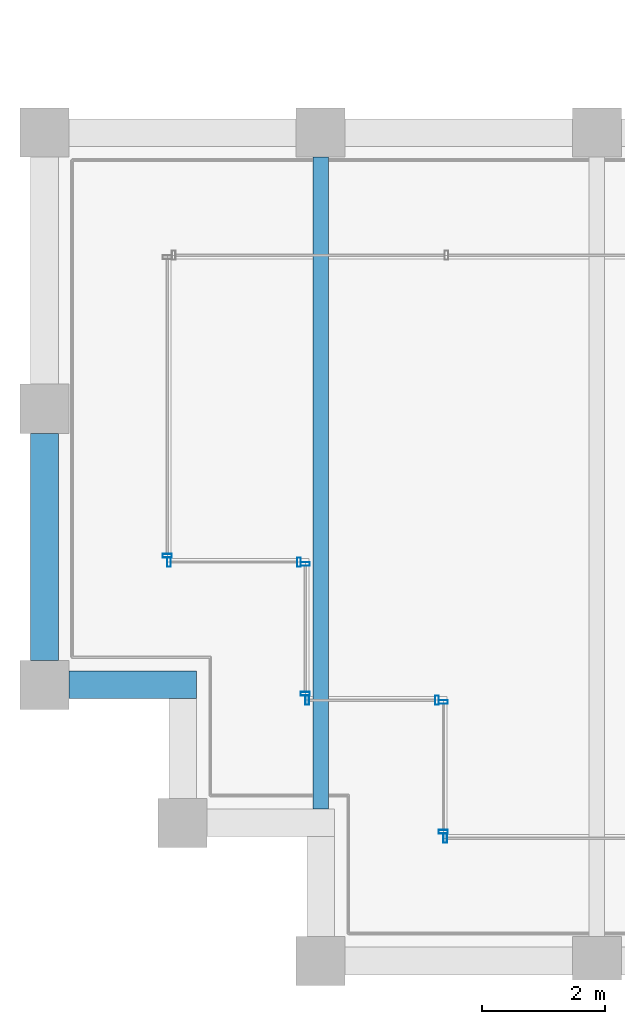
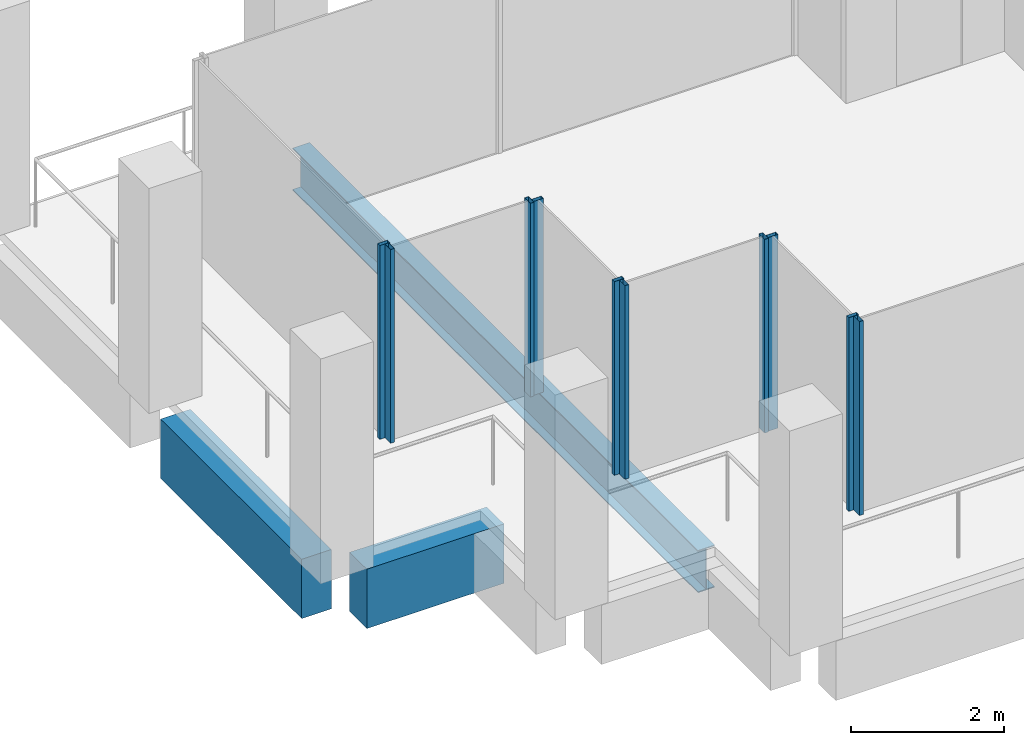
# One storey, part 2 of 30: 10 members, 3 beams, 6 elements without a shape of their own.
"""IFC4 building model written with IfcOpenShell, lengths in metres."""

from ifc_helpers import new_model, si_unit, direction, frame, origin, origin_2d, place, context, subcontext, project, spatial, rectangle, hollow_rectangle, i_section, extrude, material, material_profile, profile_set, type_object, element, aggregate, save


model = new_model("IFC4")

# Units and contexts
model_context = context("Model", 3, precision=1e-05, world=origin(), true_north=direction((0.0, 1.0)))
body_context = subcontext(model_context, "Body", "Model", "MODEL_VIEW")
ifc_project = project(units=[si_unit("LENGTHUNIT", "METRE"), si_unit("AREAUNIT", "SQUARE_METRE"), si_unit("VOLUMEUNIT", "CUBIC_METRE"), si_unit("PLANEANGLEUNIT", "RADIAN"), si_unit("MASSUNIT", "GRAM", prefix="KILO")], contexts=[model_context])

# Site, building, storey
site_placement = place(None, origin())
site = spatial("IfcSite", under=ifc_project, at=site_placement, CompositionType="ELEMENT")
building_placement = place(site_placement, origin())
building = spatial("IfcBuilding", under=site, at=building_placement, Name="Altepetl Exchange Towers", CompositionType="ELEMENT")
storey_placement = place(building_placement, frame((0.0, 0.0, 231.60009765625)))
storey = spatial("IfcBuildingStorey", under=building, at=storey_placement, Name="L59", CompositionType="ELEMENT", Elevation=231.60009765625)

# Beam
ifc_material_1 = material(Name="Steel S355", Category="steel")
ifc_material_profile_1 = material_profile(ifc_material_1, i_section(OverallWidth=0.2529296875, OverallDepth=0.677978515625, WebThickness=0.01171875, FlangeThickness=0.016357421875, at=origin_2d()), Name="W27X84")
ifc_profile_set_1 = profile_set([ifc_material_profile_1], Name="Steel S355")
beam_type_1 = type_object("IfcBeamType", Name="Floor beam W27X84", PredefinedType="BEAM", material=ifc_profile_set_1)
beam_1_placement = place(storey_placement, frame((31.5, 29.47509765625, -0.489013671875), z_axis=(0.0, 1.0, 0.0), x_axis=(-1.0, 0.0, 0.0)))
element("IfcBeam", 1, at=beam_1_placement, inside=storey, type_object=beam_type_1, Name="bm:A:L59:012", PredefinedType="BEAM", context=body_context, shape_type="SweptSolid", body=[
    extrude(i_section(OverallWidth=0.2529296875, OverallDepth=0.677978515625, WebThickness=0.01171875, FlangeThickness=0.016357421875, at=origin_2d()), origin(), (0.0, 0.0, 1.0), 10.625),
])

# Curtain wall, member
ifc_material_2 = material(Name="Aluminium 6063-T6 glazing", Category="aluminium")
curtain_wall_type = type_object("IfcCurtainWallType", Name="Loggia glazing system", PredefinedType="NOTDEFINED", material=ifc_material_2)
curtain_wall_1_placement = place(storey_placement, origin())
curtain_wall_1 = element("IfcCurtainWall", 2, at=curtain_wall_1_placement, inside=storey, type_object=curtain_wall_type, Name="CW1 run", PredefinedType="NOTDEFINED")
ifc_material_3 = material(Name="Aluminium 6063-T6", Category="aluminium")
ifc_material_profile_2 = material_profile(ifc_material_3, hollow_rectangle(XDim=0.06005859375, YDim=0.14990234375, WallThickness=0.0029296875, at=origin_2d()), Name="Mullion 60x150 aluminium")
ifc_profile_set_2 = profile_set([ifc_material_profile_2], Name="Aluminium 6063-T6")
member_type = type_object("IfcMemberType", Name="Mullion 60x150 aluminium", PredefinedType="MULLION", material=ifc_profile_set_2)
member_1_placement = place(storey_placement, frame((29.0, 33.60498046875, 0.0), z_axis=(0.0, 0.0, 1.0), x_axis=(0.0, -1.0, 0.0)))
member_1 = element("IfcMember", 3, at=member_1_placement, type_object=member_type, Name="MU1 mullion", PredefinedType="MULLION", context=body_context, shape_type="SweptSolid", body=[
    extrude(hollow_rectangle(XDim=0.06005859375, YDim=0.14990234375, WallThickness=0.0029296875, at=origin_2d()), origin(), (0.0, 0.0, 1.0), 3.099853515625),
])
aggregate(curtain_wall_1, [member_1])

# Curtain wall, members
curtain_wall_2_placement = place(storey_placement, origin())
curtain_wall_2 = element("IfcCurtainWall", 4, at=curtain_wall_2_placement, inside=storey, type_object=curtain_wall_type, Name="CW1 run", PredefinedType="NOTDEFINED")
member_2_placement = place(storey_placement, frame((29.030029296875, 33.5, 0.0)))
member_2 = element("IfcMember", 5, at=member_2_placement, type_object=member_type, Name="MU1 mullion", PredefinedType="MULLION", context=body_context, shape_type="SweptSolid", body=[
    extrude(hollow_rectangle(XDim=0.06005859375, YDim=0.14990234375, WallThickness=0.0029296875, at=origin_2d()), origin(), (0.0, 0.0, 1.0), 3.099853515625),
])
member_3_placement = place(storey_placement, frame((31.14501953125, 33.5, 0.0)))
member_3 = element("IfcMember", 6, at=member_3_placement, type_object=member_type, Name="MU1 mullion", PredefinedType="MULLION", context=body_context, shape_type="SweptSolid", body=[
    extrude(hollow_rectangle(XDim=0.06005859375, YDim=0.14990234375, WallThickness=0.0029296875, at=origin_2d()), origin(), (0.0, 0.0, 1.0), 3.099853515625),
])
aggregate(curtain_wall_2, [member_2, member_3])

curtain_wall_3_placement = place(storey_placement, origin())
curtain_wall_3 = element("IfcCurtainWall", 7, at=curtain_wall_3_placement, inside=storey, type_object=curtain_wall_type, Name="CW1 run", PredefinedType="NOTDEFINED")
member_4_placement = place(storey_placement, frame((31.25, 33.469970703125, 0.0), z_axis=(0.0, 0.0, 1.0), x_axis=(0.0, -1.0, 0.0)))
member_4 = element("IfcMember", 8, at=member_4_placement, type_object=member_type, Name="MU1 mullion", PredefinedType="MULLION", context=body_context, shape_type="SweptSolid", body=[
    extrude(hollow_rectangle(XDim=0.06005859375, YDim=0.14990234375, WallThickness=0.0029296875, at=origin_2d()), origin(), (0.0, 0.0, 1.0), 3.099853515625),
])
member_5_placement = place(storey_placement, frame((31.25, 31.35498046875, 0.0), z_axis=(0.0, 0.0, 1.0), x_axis=(0.0, -1.0, 0.0)))
member_5 = element("IfcMember", 9, at=member_5_placement, type_object=member_type, Name="MU1 mullion", PredefinedType="MULLION", context=body_context, shape_type="SweptSolid", body=[
    extrude(hollow_rectangle(XDim=0.06005859375, YDim=0.14990234375, WallThickness=0.0029296875, at=origin_2d()), origin(), (0.0, 0.0, 1.0), 3.099853515625),
])
aggregate(curtain_wall_3, [member_4, member_5])

curtain_wall_4_placement = place(storey_placement, origin())
curtain_wall_4 = element("IfcCurtainWall", 10, at=curtain_wall_4_placement, inside=storey, type_object=curtain_wall_type, Name="CW1 run", PredefinedType="NOTDEFINED")
member_6_placement = place(storey_placement, frame((31.280029296875, 31.25, 0.0)))
member_6 = element("IfcMember", 11, at=member_6_placement, type_object=member_type, Name="MU1 mullion", PredefinedType="MULLION", context=body_context, shape_type="SweptSolid", body=[
    extrude(hollow_rectangle(XDim=0.06005859375, YDim=0.14990234375, WallThickness=0.0029296875, at=origin_2d()), origin(), (0.0, 0.0, 1.0), 3.099853515625),
])
member_7_placement = place(storey_placement, frame((33.39501953125, 31.25, 0.0)))
member_7 = element("IfcMember", 12, at=member_7_placement, type_object=member_type, Name="MU1 mullion", PredefinedType="MULLION", context=body_context, shape_type="SweptSolid", body=[
    extrude(hollow_rectangle(XDim=0.06005859375, YDim=0.14990234375, WallThickness=0.0029296875, at=origin_2d()), origin(), (0.0, 0.0, 1.0), 3.099853515625),
])
aggregate(curtain_wall_4, [member_6, member_7])

curtain_wall_5_placement = place(storey_placement, origin())
curtain_wall_5 = element("IfcCurtainWall", 13, at=curtain_wall_5_placement, inside=storey, type_object=curtain_wall_type, Name="CW1 run", PredefinedType="NOTDEFINED")
member_8_placement = place(storey_placement, frame((33.5, 31.219970703125, 0.0), z_axis=(0.0, 0.0, 1.0), x_axis=(0.0, -1.0, 0.0)))
member_8 = element("IfcMember", 14, at=member_8_placement, type_object=member_type, Name="MU1 mullion", PredefinedType="MULLION", context=body_context, shape_type="SweptSolid", body=[
    extrude(hollow_rectangle(XDim=0.06005859375, YDim=0.14990234375, WallThickness=0.0029296875, at=origin_2d()), origin(), (0.0, 0.0, 1.0), 3.099853515625),
])
member_9_placement = place(storey_placement, frame((33.5, 29.10498046875, 0.0), z_axis=(0.0, 0.0, 1.0), x_axis=(0.0, -1.0, 0.0)))
member_9 = element("IfcMember", 15, at=member_9_placement, type_object=member_type, Name="MU1 mullion", PredefinedType="MULLION", context=body_context, shape_type="SweptSolid", body=[
    extrude(hollow_rectangle(XDim=0.06005859375, YDim=0.14990234375, WallThickness=0.0029296875, at=origin_2d()), origin(), (0.0, 0.0, 1.0), 3.099853515625),
])
aggregate(curtain_wall_5, [member_8, member_9])

# Curtain wall, member
curtain_wall_6_placement = place(storey_placement, origin())
curtain_wall_6 = element("IfcCurtainWall", 16, at=curtain_wall_6_placement, inside=storey, type_object=curtain_wall_type, Name="CW1 run", PredefinedType="NOTDEFINED")
member_10_placement = place(storey_placement, frame((33.530029296875, 29.0, 0.0)))
member_10 = element("IfcMember", 17, at=member_10_placement, type_object=member_type, Name="MU1 mullion", PredefinedType="MULLION", context=body_context, shape_type="SweptSolid", body=[
    extrude(hollow_rectangle(XDim=0.06005859375, YDim=0.14990234375, WallThickness=0.0029296875, at=origin_2d()), origin(), (0.0, 0.0, 1.0), 3.099853515625),
])
aggregate(curtain_wall_6, [member_10])

# Beams
ifc_material_4 = material(Name="Concrete C50/60 precast with cantera blanca facing", Category="concrete")
ifc_material_profile_3 = material_profile(ifc_material_4, rectangle(XDim=0.449951171875, YDim=0.949951171875, at=origin_2d()), Name="450 x 950")
ifc_profile_set_3 = profile_set([ifc_material_profile_3], Name="Concrete C50/60 precast with cantera blanca facing")
beam_type_2 = type_object("IfcBeamType", Name="Spandrel beam 450x950 cantera blanca", PredefinedType="SPANDREL", material=ifc_profile_set_3)
beam_2_placement = place(storey_placement, frame((27.0, 35.60009765625, -0.625), z_axis=(0.0, -1.0, 0.0), x_axis=(1.0, 0.0, 0.0)))
element("IfcBeam", 18, at=beam_2_placement, inside=storey, type_object=beam_type_2, Name="sp:A:L59:037", PredefinedType="SPANDREL", context=body_context, shape_type="SweptSolid", body=[
    extrude(rectangle(XDim=0.449951171875, YDim=0.949951171875, at=origin_2d()), origin(), (0.0, 0.0, 1.0), 3.7001953125),
])
beam_3_placement = place(storey_placement, frame((27.39990234375, 31.5, -0.625), z_axis=(1.0, 0.0, 0.0), x_axis=(0.0, 1.0, 0.0)))
element("IfcBeam", 19, at=beam_3_placement, inside=storey, type_object=beam_type_2, Name="sp:A:L59:038", PredefinedType="SPANDREL", context=body_context, shape_type="SweptSolid", body=[
    extrude(rectangle(XDim=0.449951171875, YDim=0.949951171875, at=origin_2d()), origin(), (0.0, 0.0, 1.0), 2.0751953125),
])

save(model, "model.ifc")
